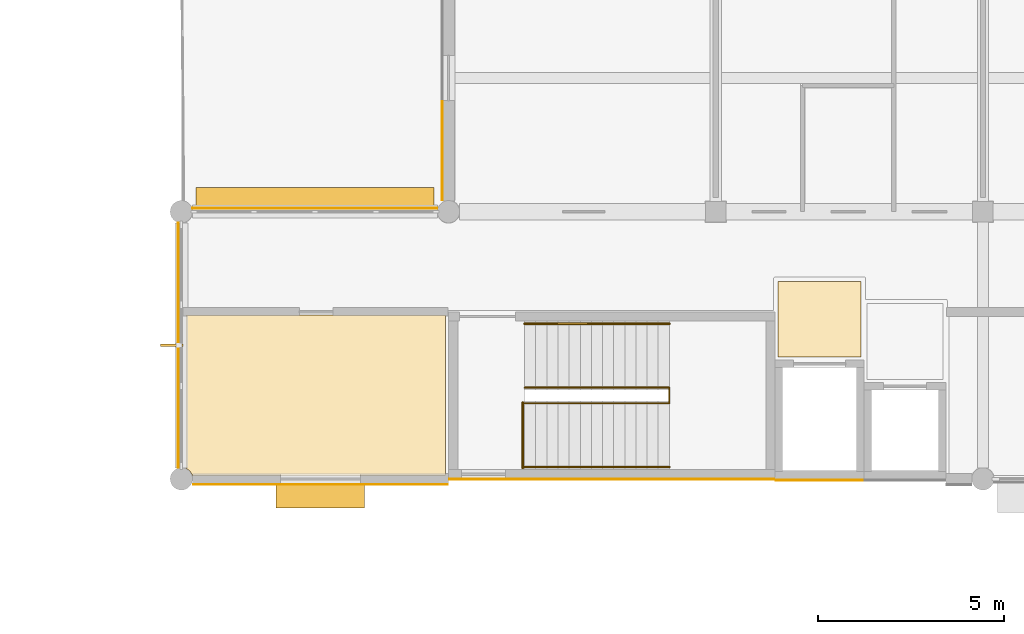
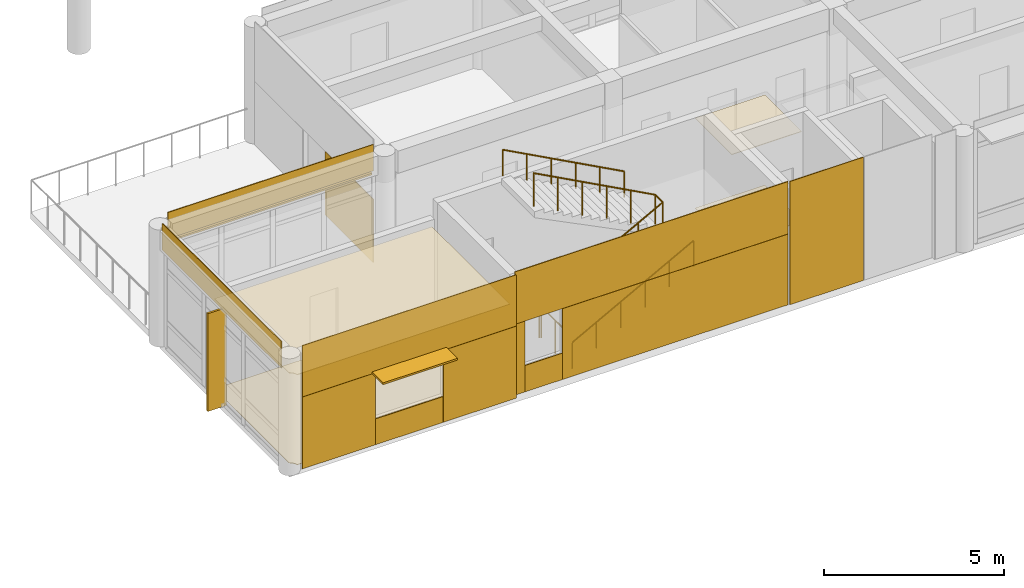
# One storey, part 24 of 29: 16 coverings, 4 railings, 3 shading devices.
"""IFC4 building model written with IfcOpenShell, lengths in metres."""

from ifc_helpers import new_model, si_unit, direction, frame, origin, origin_2d, place, context, subcontext, project, spatial, polyline, rectangle, circle, outline, extrude, material, layer, layer_set, type_object, element, save


model = new_model("IFC4")

# Units and contexts
model_context = context("Model", 3, precision=1e-05, world=origin(), true_north=direction((0.0, 1.0)))
body_context = subcontext(model_context, "Body", "Model", "MODEL_VIEW")
ifc_project = project(units=[si_unit("LENGTHUNIT", "METRE"), si_unit("AREAUNIT", "SQUARE_METRE"), si_unit("VOLUMEUNIT", "CUBIC_METRE"), si_unit("PLANEANGLEUNIT", "RADIAN"), si_unit("MASSUNIT", "GRAM", prefix="KILO")], contexts=[model_context])

# Site, building, storey
site_placement = place(None, origin())
site = spatial("IfcSite", under=ifc_project, at=site_placement, CompositionType="ELEMENT")
building_placement = place(site_placement, origin())
building = spatial("IfcBuilding", under=site, at=building_placement, Name="Namkhue Oval Health Centre", CompositionType="ELEMENT")
storey_placement = place(building_placement, frame((0.0, 0.0, 18.0)))
storey = spatial("IfcBuildingStorey", under=building, at=storey_placement, Name="L04", CompositionType="ELEMENT", Elevation=18.0)

# Coverings
ifc_material_1 = material(Name="Acoustic mineral-fibre cleanroom ceiling", Category="gypsum")
ifc_layer_1 = layer(ifc_material_1, 0.02001953125)
ifc_layer_set_1 = layer_set([ifc_layer_1], Name="Acoustic mineral-fibre cleanroom ceiling")
covering_type_1 = type_object("IfcCoveringType", Name="ACOUSTIC CLEANROOM CEILING 20", PredefinedType="CEILING", material=ifc_layer_set_1)
covering_1_placement = place(storey_placement, frame((0.0, 0.0, 3.050048828125)))
element("IfcCovering", 1, at=covering_1_placement, inside=storey, type_object=covering_type_1, Name="Acoustic Ceiling L04-LL1 Lift Lobby LF-01", PredefinedType="CEILING", context=body_context, shape_type="SweptSolid", body=[
    extrude(outline(polyline([(66.47998046875, 93.280029296875), (66.47998046875, 95.320068359375), (68.719970703125, 95.320068359375), (68.719970703125, 93.280029296875), (66.47998046875, 93.280029296875)])), origin(), (0.0, 0.0, 1.0), 0.02001953125),
])
covering_2_placement = place(storey_placement, frame((0.0, 0.0, 3.050048828125)))
element("IfcCovering", 2, at=covering_2_placement, inside=storey, type_object=covering_type_1, Name="Acoustic Ceiling L04-207 Preventive Lifestyle Consultation", PredefinedType="CEILING", context=body_context, shape_type="SweptSolid", body=[
    extrude(outline(polyline([(50.697509765625, 90.0849609375), (50.66845703125, 90.155029296875), (50.619140625, 90.21923828125), (50.554931640625, 90.2685546875), (50.544921875, 90.272705078125), (50.544921875, 94.419921875), (57.52001953125, 94.419921875), (57.52001953125, 90.0849609375), (50.697509765625, 90.0849609375)])), origin(), (0.0, 0.0, 1.0), 0.02001953125),
])
ifc_material_2 = material(Name="Homogeneous anti-bacterial clinical vinyl flooring", Category="plastic")
ifc_layer_2 = layer(ifc_material_2, 0.014892578125)
ifc_layer_set_2 = layer_set([ifc_layer_2], Name="Homogeneous anti-bacterial clinical vinyl flooring")
covering_type_2 = type_object("IfcCoveringType", Name="CLINICAL ANTIBACTERIAL VINYL FLOORING 15", PredefinedType="FLOORING", material=ifc_layer_set_2)
covering_3_placement = place(storey_placement, origin())
element("IfcCovering", 3, at=covering_3_placement, inside=storey, type_object=covering_type_2, Name="Clinical Flooring L04-LL1 Lift Lobby LF-01", PredefinedType="FLOORING", context=body_context, shape_type="SweptSolid", body=[
    extrude(outline(polyline([(66.47998046875, 93.280029296875), (66.47998046875, 95.320068359375), (68.719970703125, 95.320068359375), (68.719970703125, 93.280029296875), (66.47998046875, 93.280029296875)])), origin(), (0.0, 0.0, 1.0), 0.014892578125),
])
covering_4_placement = place(storey_placement, origin())
element("IfcCovering", 4, at=covering_4_placement, inside=storey, type_object=covering_type_2, Name="Clinical Flooring L04-207 Preventive Lifestyle Consultation", PredefinedType="FLOORING", context=body_context, shape_type="SweptSolid", body=[
    extrude(outline(polyline([(50.697509765625, 90.0849609375), (50.66845703125, 90.155029296875), (50.619140625, 90.21923828125), (50.554931640625, 90.2685546875), (50.544921875, 90.272705078125), (50.544921875, 94.419921875), (57.52001953125, 94.419921875), (57.52001953125, 90.0849609375), (50.697509765625, 90.0849609375)])), origin(), (0.0, 0.0, 1.0), 0.014892578125),
])

# Railings
ifc_material_3 = material(Name="Brushed stainless steel 316L balustrade with laminated glass infill", Category="steel")
railing_type_1 = type_object("IfcRailingType", Name="INTERIOR BALUSTRADE GUARD 1150", PredefinedType="BALUSTRADE", material=ifc_material_3)
railing_1_placement = place(storey_placement, frame((59.60009765625, 90.2900390625, 0.0)))
element("IfcRailing", 5, at=railing_1_placement, inside=storey, type_object=railing_type_1, Name="Stair ST-03 L04 Landing Well Edge Guard", PredefinedType="BALUSTRADE", context=body_context, shape_type="SweptSolid", body=[
    extrude(circle(Radius=0.02392578125, at=origin_2d()), frame((0.0, 0.0, 1.1259765625), z_axis=(0.0, 1.0, 0.0), x_axis=(-1.0, 0.0, 0.0)), (0.0, 0.0, 1.0), 1.77001953125),
    extrude(circle(Radius=0.02099609375, at=origin_2d()), origin(), (0.0, 0.0, 1.0), 1.101806640625),
    extrude(circle(Radius=0.02099609375, at=origin_2d()), frame((0.0, 0.885009765625, 0.0)), (0.0, 0.0, 1.0), 1.101806640625),
    extrude(circle(Radius=0.02099609375, at=origin_2d()), frame((0.0, 1.77001953125, 0.0)), (0.0, 0.0, 1.0), 1.101806640625),
])
railing_2_placement = place(storey_placement, frame((59.64990234375, 92.0400390625, 0.0)))
element("IfcRailing", 6, at=railing_2_placement, inside=storey, type_object=railing_type_1, Name="Stair ST-03 L04 Inner Well Guard", PredefinedType="BALUSTRADE", context=body_context, shape_type="SweptSolid", body=[
    extrude(circle(Radius=0.02392578125, at=origin_2d()), frame((0.0, 0.0, 1.1259765625), z_axis=(0.880469330154, 0.0, 0.474103109733), x_axis=(0.0, 1.0, 0.0)), (0.0, 0.0, 1.0), 4.4296875),
    extrude(circle(Radius=0.02392578125, at=origin_2d()), frame((3.900146484375, 0.0, 3.22607421875), z_axis=(0.0, 1.0, 0.0), x_axis=(-1.0, 0.0, 0.0)), (0.0, 0.0, 1.0), 0.419921875),
    extrude(circle(Radius=0.02392578125, at=origin_2d()), frame((3.900146484375, 0.419921875, 3.22607421875), z_axis=(-0.88049233674, 0.0, 0.474060381114), x_axis=(0.0, -1.0, 0.0)), (0.0, 0.0, 1.0), 4.429443359375),
    extrude(circle(Radius=0.02099609375, at=origin_2d()), origin(), (0.0, 0.0, 1.0), 1.101806640625),
    extrude(circle(Radius=0.02099609375, at=origin_2d()), frame((0.780029296875, 0.0, 0.419921875)), (0.0, 0.0, 1.0), 1.101806640625),
    extrude(circle(Radius=0.02099609375, at=origin_2d()), frame((1.56005859375, 0.0, 0.840087890625)), (0.0, 0.0, 1.0), 1.101806640625),
    extrude(circle(Radius=0.02099609375, at=origin_2d()), frame((2.340087890625, 0.0, 1.260009765625)), (0.0, 0.0, 1.0), 1.101806640625),
    extrude(circle(Radius=0.02099609375, at=origin_2d()), frame((3.1201171875, 0.0, 1.68017578125)), (0.0, 0.0, 1.0), 1.101806640625),
    extrude(circle(Radius=0.02099609375, at=origin_2d()), frame((3.900146484375, 0.0, 2.10009765625)), (0.0, 0.0, 1.0), 1.101806640625),
    extrude(circle(Radius=0.02099609375, at=origin_2d()), frame((3.900146484375, 0.419921875, 2.10009765625)), (0.0, 0.0, 1.0), 1.101806640625),
    extrude(circle(Radius=0.02099609375, at=origin_2d()), frame((3.1201171875, 0.419921875, 2.52001953125)), (0.0, 0.0, 1.0), 1.101806640625),
    extrude(circle(Radius=0.02099609375, at=origin_2d()), frame((2.340087890625, 0.419921875, 2.93994140625)), (0.0, 0.0, 1.0), 1.101806640625),
    extrude(circle(Radius=0.02099609375, at=origin_2d()), frame((1.56005859375, 0.419921875, 3.360107421875)), (0.0, 0.0, 1.0), 1.101806640625),
    extrude(circle(Radius=0.02099609375, at=origin_2d()), frame((0.780029296875, 0.419921875, 3.780029296875)), (0.0, 0.0, 1.0), 1.101806640625),
    extrude(circle(Radius=0.02099609375, at=origin_2d()), frame((0.0, 0.419921875, 4.199951171875)), (0.0, 0.0, 1.0), 1.101806640625),
])
ifc_material_4 = material(Name="Brushed stainless steel 304 tubular handrail", Category="steel")
railing_type_2 = type_object("IfcRailingType", Name="INTERIOR STAIR HANDRAIL 900", PredefinedType="HANDRAIL", material=ifc_material_4)
railing_3_placement = place(storey_placement, frame((59.64990234375, 90.320068359375, 0.0)))
element("IfcRailing", 7, at=railing_3_placement, inside=storey, type_object=railing_type_2, Name="Stair ST-03 L04 Flight 1 Handrail", PredefinedType="HANDRAIL", context=body_context, shape_type="SweptSolid", body=[
    extrude(circle(Radius=0.02392578125, at=origin_2d()), frame((0.0, 0.0, 0.8759765625), z_axis=(0.880469330154, 0.0, 0.474103109733), x_axis=(0.0, 1.0, 0.0)), (0.0, 0.0, 1.0), 4.4296875),
    extrude(circle(Radius=0.02099609375, at=origin_2d()), origin(), (0.0, 0.0, 1.0), 0.851806640625),
    extrude(circle(Radius=0.02099609375, at=origin_2d()), frame((0.780029296875, 0.0, 0.419921875)), (0.0, 0.0, 1.0), 0.851806640625),
    extrude(circle(Radius=0.02099609375, at=origin_2d()), frame((1.56005859375, 0.0, 0.840087890625)), (0.0, 0.0, 1.0), 0.851806640625),
    extrude(circle(Radius=0.02099609375, at=origin_2d()), frame((2.340087890625, 0.0, 1.260009765625)), (0.0, 0.0, 1.0), 0.851806640625),
    extrude(circle(Radius=0.02099609375, at=origin_2d()), frame((3.1201171875, 0.0, 1.68017578125)), (0.0, 0.0, 1.0), 0.851806640625),
    extrude(circle(Radius=0.02099609375, at=origin_2d()), frame((3.900146484375, 0.0, 2.10009765625)), (0.0, 0.0, 1.0), 0.851806640625),
])
railing_4_placement = place(storey_placement, frame((63.550048828125, 94.179931640625, 2.10009765625)))
element("IfcRailing", 8, at=railing_4_placement, inside=storey, type_object=railing_type_2, Name="Stair ST-03 L04 Flight 2 Handrail", PredefinedType="HANDRAIL", context=body_context, shape_type="SweptSolid", body=[
    extrude(circle(Radius=0.02392578125, at=origin_2d()), frame((0.0, 0.0, 0.8759765625), z_axis=(-0.88049233674, 0.0, 0.474060381114), x_axis=(0.0, -1.0, 0.0)), (0.0, 0.0, 1.0), 4.429443359375),
    extrude(circle(Radius=0.02099609375, at=origin_2d()), origin(), (0.0, 0.0, 1.0), 0.851806640625),
    extrude(circle(Radius=0.02099609375, at=origin_2d()), frame((-0.780029296875, 0.0, 0.419921875)), (0.0, 0.0, 1.0), 0.851806640625),
    extrude(circle(Radius=0.02099609375, at=origin_2d()), frame((-1.56005859375, 0.0, 0.83984375)), (0.0, 0.0, 1.0), 0.851806640625),
    extrude(circle(Radius=0.02099609375, at=origin_2d()), frame((-2.340087890625, 0.0, 1.260009765625)), (0.0, 0.0, 1.0), 0.851806640625),
    extrude(circle(Radius=0.02099609375, at=origin_2d()), frame((-3.1201171875, 0.0, 1.679931640625)), (0.0, 0.0, 1.0), 0.851806640625),
    extrude(circle(Radius=0.02099609375, at=origin_2d()), frame((-3.900146484375, 0.0, 2.099853515625)), (0.0, 0.0, 1.0), 0.851806640625),
])

# Shading devices
ifc_material_5 = material(Name="Anodised aluminium EN AW-6063 T6", Category="aluminium")
ifc_layer_3 = layer(ifc_material_5, 0.050048828125)
ifc_layer_set_3 = layer_set([ifc_layer_3], Name="Anodised aluminium EN AW-6063 T6")
shading_device_type_1 = type_object("IfcShadingDeviceType", Name="STORM SHUTTER LOUVRE 650", PredefinedType="SHUTTER", material=ifc_layer_set_3)
shading_device_1_placement = place(storey_placement, frame((54.146484375, 89.544921875, 2.4599609375), z_axis=(0.0, 0.0, 1.0), x_axis=(1.0, 0.0, 0.0)))
element("IfcShadingDevice", 9, at=shading_device_1_placement, inside=storey, type_object=shading_device_type_1, Name="Volume V2 L04 Window Monsoon Louvre 99", PredefinedType="SHUTTER", context=body_context, shape_type="SweptSolid", body=[
    extrude(rectangle(XDim=2.389892578125, YDim=0.64990234375, at=origin_2d()), origin(), (0.0, 0.0, 1.0), 0.06005859375),
])
shading_device_2_placement = place(storey_placement, frame((54.0, 97.52490234375, 3.248046875), z_axis=(0.0, 0.0, 1.0), x_axis=(-1.0, 0.0, 0.0)))
element("IfcShadingDevice", 10, at=shading_device_2_placement, inside=storey, type_object=shading_device_type_1, Name="Volume V2 L04 Horizontal Monsoon Sun Louvre 107", PredefinedType="SHUTTER", context=body_context, shape_type="SweptSolid", body=[
    extrude(rectangle(XDim=6.409912109375, YDim=0.64990234375, at=origin_2d()), origin(), (0.0, 0.0, 1.0), 0.06005859375),
])
shading_device_type_2 = type_object("IfcShadingDeviceType", Name="VERTICAL SOLAR FIN 600", PredefinedType="USERDEFINED", material=ifc_material_5)
shading_device_3_placement = place(storey_placement, frame((50.139892578125, 93.60009765625, 0.0), z_axis=(0.0, 0.0, 1.0), x_axis=(-1.0, 0.0, 0.0)))
element("IfcShadingDevice", 11, at=shading_device_3_placement, inside=storey, type_object=shading_device_type_2, Name="Volume V2 L04 Extruded Aluminium Solar Fin 108", ObjectType="SOLAR FIN", PredefinedType="USERDEFINED", context=body_context, shape_type="SweptSolid", body=[
    extrude(rectangle(XDim=0.60009765625, YDim=0.06005859375, at=origin_2d()), origin(), (0.0, 0.0, 1.0), 3.318115234375),
])

# Coverings
ifc_material_6 = material(Name="White glass-fibre reinforced concrete GRC rainscreen cladding", Category="concrete")
ifc_layer_4 = layer(ifc_material_6, 0.02490234375)
ifc_layer_set_4 = layer_set([ifc_layer_4], Name="White glass-fibre reinforced concrete GRC rainscreen cladding")
covering_type_3 = type_object("IfcCoveringType", Name="WHITE GRC RAINSCREEN CLADDING 25", PredefinedType="CLADDING", material=ifc_layer_set_4)
covering_5_placement = place(storey_placement, frame((54.146484375, 89.847900390625, 2.455078125), z_axis=(0.0, 0.0, 1.0), x_axis=(1.0, 0.0, 0.0)))
element("IfcCovering", 12, at=covering_5_placement, inside=storey, type_object=covering_type_3, Name="Volume V2 L04 Facade 43 White GRC Cladding 1", PredefinedType="CLADDING", context=body_context, shape_type="SweptSolid", body=[
    extrude(rectangle(XDim=6.863037109375, YDim=0.02490234375, at=origin_2d()), origin(), (0.0, 0.0, 1.0), 1.735107421875),
])
covering_6_placement = place(storey_placement, frame((51.8857421875, 89.847900390625, 0.010009765625), z_axis=(0.0, 0.0, 1.0), x_axis=(1.0, 0.0, 0.0)))
element("IfcCovering", 13, at=covering_6_placement, inside=storey, type_object=covering_type_3, Name="Volume V2 L04 Facade 43 White GRC Cladding 2", PredefinedType="CLADDING", context=body_context, shape_type="SweptSolid", body=[
    extrude(rectangle(XDim=2.341552734375, YDim=0.02490234375, at=origin_2d()), origin(), (0.0, 0.0, 1.0), 2.43994140625),
])
covering_7_placement = place(storey_placement, frame((54.146484375, 89.847900390625, 0.010009765625), z_axis=(0.0, 0.0, 1.0), x_axis=(1.0, 0.0, 0.0)))
element("IfcCovering", 14, at=covering_7_placement, inside=storey, type_object=covering_type_3, Name="Volume V2 L04 Facade 43 White GRC Cladding 3", PredefinedType="CLADDING", context=body_context, shape_type="SweptSolid", body=[
    extrude(rectangle(XDim=2.169921875, YDim=0.02490234375, at=origin_2d()), origin(), (0.0, 0.0, 1.0), 0.875),
])
covering_8_placement = place(storey_placement, frame((56.4072265625, 89.847900390625, 0.010009765625), z_axis=(0.0, 0.0, 1.0), x_axis=(1.0, 0.0, 0.0)))
element("IfcCovering", 15, at=covering_8_placement, inside=storey, type_object=covering_type_3, Name="Volume V2 L04 Facade 43 White GRC Cladding 4", PredefinedType="CLADDING", context=body_context, shape_type="SweptSolid", body=[
    extrude(rectangle(XDim=2.341552734375, YDim=0.02490234375, at=origin_2d()), origin(), (0.0, 0.0, 1.0), 2.43994140625),
])
covering_9_placement = place(storey_placement, frame((57.427978515625, 98.844970703125, 0.010009765625), z_axis=(0.0, 0.0, 1.0), x_axis=(0.0, -1.0, 0.0)))
element("IfcCovering", 16, at=covering_9_placement, inside=storey, type_object=covering_type_3, Name="Volume V2 L04 Facade 47 White GRC Cladding 3", PredefinedType="CLADDING", context=body_context, shape_type="SweptSolid", body=[
    extrude(rectangle(XDim=2.659912109375, YDim=0.02490234375, at=origin_2d()), origin(), (0.0, 0.0, 1.0), 2.14990234375),
])
for number, where, z_axis, x_axis, name in (
    (17, (54.0, 97.28857421875, 3.302978515625), (0.0, 0.0, 1.0), (-1.0, 0.0, 0.0), "Volume V2 L04 Curtain Wall Spandrel Cladding 83"),
    (18, (50.3115234375, 93.60009765625, 3.302978515625), (0.0, 0.0, 1.0), (0.0, -1.0, 0.0), "Volume V2 L04 Curtain Wall Spandrel Cladding 84"),
):
    element("IfcCovering", number, at=place(storey_placement, frame(where, z_axis=z_axis, x_axis=x_axis)), inside=storey, type_object=covering_type_3, Name=name, PredefinedType="CLADDING", context=body_context, shape_type="SweptSolid", body=[
        extrude(rectangle(XDim=6.60009765625, YDim=0.02490234375, at=origin_2d()), origin(), (0.0, 0.0, 1.0), 0.89697265625),
    ])
covering_10_placement = place(storey_placement, frame((62.0, 89.988037109375, 2.4150390625), z_axis=(0.0, 0.0, 1.0), x_axis=(1.0, 0.0, 0.0)))
element("IfcCovering", 19, at=covering_10_placement, inside=storey, type_object=covering_type_3, Name="Core SC-03 L04 Core S White GRC Cladding 1", PredefinedType="CLADDING", context=body_context, shape_type="SweptSolid", body=[
    extrude(rectangle(XDim=8.760009765625, YDim=0.02490234375, at=origin_2d()), origin(), (0.0, 0.0, 1.0), 1.77490234375),
])
covering_11_placement = place(storey_placement, frame((57.777587890625, 89.988037109375, 0.010009765625), z_axis=(0.0, 0.0, 1.0), x_axis=(1.0, 0.0, 0.0)))
element("IfcCovering", 20, at=covering_11_placement, inside=storey, type_object=covering_type_3, Name="Core SC-03 L04 Core S White GRC Cladding 2", PredefinedType="CLADDING", context=body_context, shape_type="SweptSolid", body=[
    extrude(rectangle(XDim=0.31494140625, YDim=0.02490234375, at=origin_2d()), origin(), (0.0, 0.0, 1.0), 2.39990234375),
])
covering_12_placement = place(storey_placement, frame((58.5400390625, 89.988037109375, 0.010009765625), z_axis=(0.0, 0.0, 1.0), x_axis=(1.0, 0.0, 0.0)))
element("IfcCovering", 21, at=covering_12_placement, inside=storey, type_object=covering_type_3, Name="Core SC-03 L04 Core S White GRC Cladding 3", PredefinedType="CLADDING", context=body_context, shape_type="SweptSolid", body=[
    extrude(rectangle(XDim=1.199951171875, YDim=0.02490234375, at=origin_2d()), origin(), (0.0, 0.0, 1.0), 0.89501953125),
])
covering_13_placement = place(storey_placement, frame((62.762451171875, 89.988037109375, 0.010009765625), z_axis=(0.0, 0.0, 1.0), x_axis=(1.0, 0.0, 0.0)))
element("IfcCovering", 22, at=covering_13_placement, inside=storey, type_object=covering_type_3, Name="Core SC-03 L04 Core S White GRC Cladding 4", PredefinedType="CLADDING", context=body_context, shape_type="SweptSolid", body=[
    extrude(rectangle(XDim=7.235107421875, YDim=0.02490234375, at=origin_2d()), origin(), (0.0, 0.0, 1.0), 2.39990234375),
])
covering_14_placement = place(storey_placement, frame((67.60009765625, 89.962890625, 0.01025390625), z_axis=(0.0, 0.0, 1.0), x_axis=(1.0, 0.0, 0.0)))
element("IfcCovering", 23, at=covering_14_placement, inside=storey, type_object=covering_type_3, Name="Lift LF-01 L04 S White GRC Cladding 1", PredefinedType="CLADDING", context=body_context, shape_type="SweptSolid", body=[
    extrude(rectangle(XDim=2.360107421875, YDim=0.02490234375, at=origin_2d()), origin(), (0.0, 0.0, 1.0), 4.179931640625),
])

save(model, "model.ifc")
